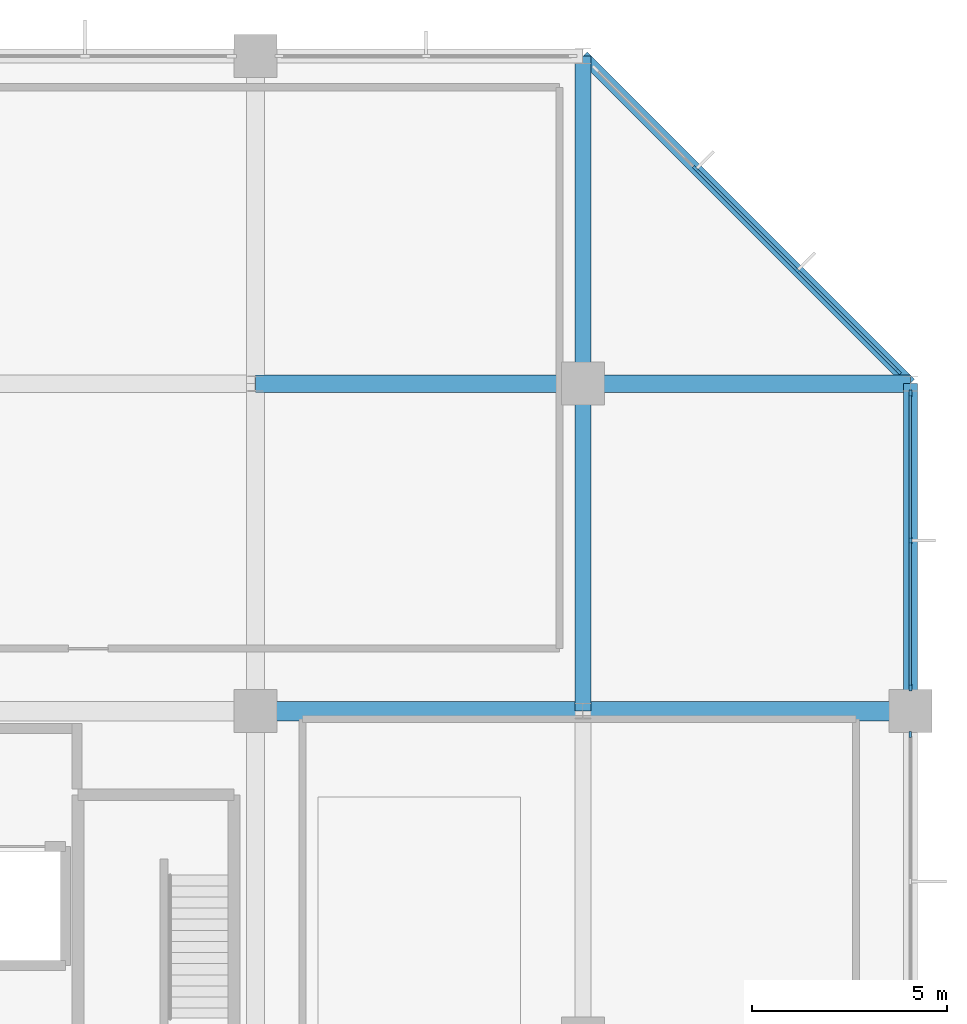
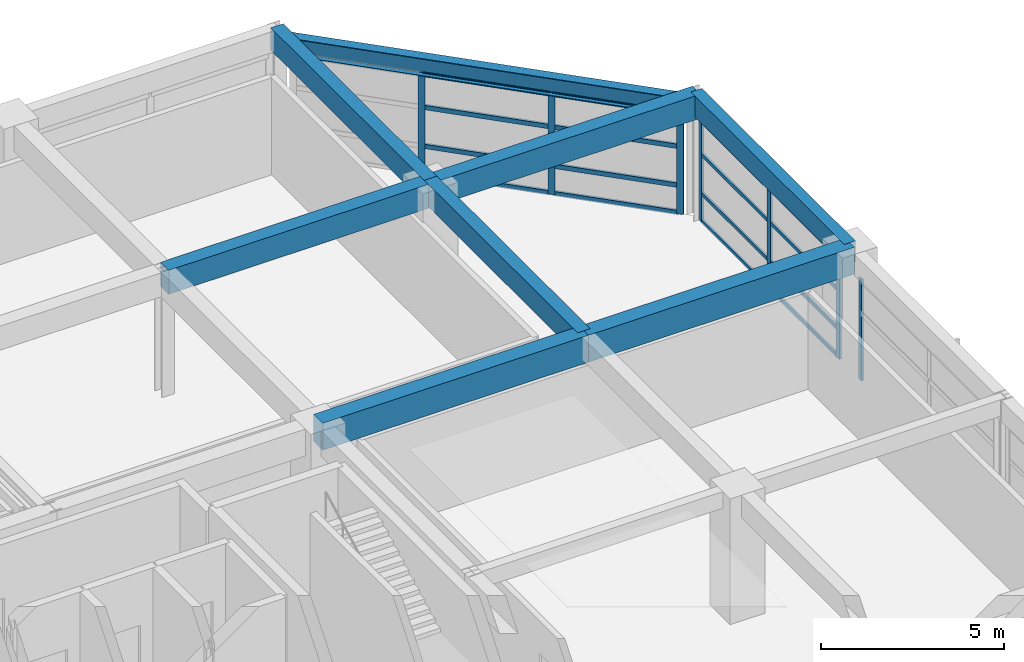
# One storey, part 25 of 34: 23 members, 8 beams, 3 elements without a shape of their own.
"""IFC4 building model written with IfcOpenShell, lengths in metres."""

from ifc_helpers import new_model, si_unit, direction, frame, origin, origin_2d, place, context, subcontext, project, spatial, rectangle, i_section, extrude, material, material_profile, profile_set, type_object, element, aggregate, save


model = new_model("IFC4")

# Units and contexts
model_context = context("Model", 3, precision=1e-05, world=origin(), true_north=direction((0.0, 1.0)))
body_context = subcontext(model_context, "Body", "Model", "MODEL_VIEW")
ifc_project = project(units=[si_unit("LENGTHUNIT", "METRE"), si_unit("AREAUNIT", "SQUARE_METRE"), si_unit("VOLUMEUNIT", "CUBIC_METRE"), si_unit("PLANEANGLEUNIT", "RADIAN"), si_unit("MASSUNIT", "GRAM", prefix="KILO")], contexts=[model_context])

# Site, building, storey
site_placement = place(None, origin())
site = spatial("IfcSite", under=ifc_project, at=site_placement, CompositionType="ELEMENT")
building_placement = place(site_placement, origin())
building = spatial("IfcBuilding", under=site, at=building_placement, Name="Xuanlan Plaza Opera House", CompositionType="ELEMENT")
storey_placement = place(building_placement, frame((0.0, 0.0, 27.89990234375)))
storey = spatial("IfcBuildingStorey", under=building, at=storey_placement, Name="L06", CompositionType="ELEMENT", Elevation=27.89990234375)

# Curtain wall, member
ifc_material_1 = material(Name="Anodised Aluminium 6063-T6 and Low-E Glass", Category="aluminium")
curtain_wall_type_1 = type_object("IfcCurtainWallType", Name="ENV-CW-CW-04", PredefinedType="USERDEFINED", material=ifc_material_1)
curtain_wall_1_placement = place(storey_placement, origin())
curtain_wall_1 = element("IfcCurtainWall", 1, at=curtain_wall_1_placement, inside=storey, type_object=curtain_wall_type_1, Name="Unitised Curtain Wall L06-008", ObjectType="UNITISED CURTAIN WALL", PredefinedType="USERDEFINED")
ifc_material_2 = material(Name="Anodised Aluminium 6063-T6", Category="aluminium")
ifc_material_profile_1 = material_profile(ifc_material_2, rectangle(XDim=0.06494140625, YDim=0.159912109375, at=origin_2d()), Name="ALU-M 65x160")
ifc_profile_set_1 = profile_set([ifc_material_profile_1], Name="Anodised Aluminium 6063-T6")
member_type_1 = type_object("IfcMemberType", Name="ENV-CWM-01", PredefinedType="MULLION", material=ifc_profile_set_1)
member_1_placement = place(storey_placement, frame((168.0, 66.597412109375, 0.0), z_axis=(0.0, 0.0, 1.0), x_axis=(-1.0, 0.0, 0.0)))
member_1 = element("IfcMember", 2, at=member_1_placement, type_object=member_type_1, Name="CW-04 mullion 3", PredefinedType="MULLION", context=body_context, shape_type="SweptSolid", body=[
    extrude(rectangle(XDim=0.06494140625, YDim=0.159912109375, at=origin_2d()), origin(), (0.0, 0.0, 1.0), 3.380126953125),
])
aggregate(curtain_wall_1, [member_1])

# Curtain wall, members
curtain_wall_type_2 = type_object("IfcCurtainWallType", Name="ENV-CW-CW-01", PredefinedType="USERDEFINED", material=ifc_material_1)
curtain_wall_2_placement = place(storey_placement, origin())
curtain_wall_2 = element("IfcCurtainWall", 3, at=curtain_wall_2_placement, inside=storey, type_object=curtain_wall_type_2, Name="Unitised Curtain Wall L06-009", ObjectType="UNITISED CURTAIN WALL", PredefinedType="USERDEFINED")
ifc_material_profile_2 = material_profile(ifc_material_2, rectangle(XDim=0.070068359375, YDim=0.179931640625, at=origin_2d()), Name="ALU-M 70x180")
ifc_profile_set_2 = profile_set([ifc_material_profile_2], Name="Anodised Aluminium 6063-T6")
member_type_2 = type_object("IfcMemberType", Name="ENV-CWM-02", PredefinedType="MULLION", material=ifc_profile_set_2)
member_2_placement = place(storey_placement, frame((168.0, 67.804931640625, 0.0), z_axis=(0.0, 0.0, 1.0), x_axis=(-1.0, 0.0, 0.0)))
member_2 = element("IfcMember", 4, at=member_2_placement, type_object=member_type_2, Name="CW-01 mullion 1", PredefinedType="MULLION", context=body_context, shape_type="SweptSolid", body=[
    extrude(rectangle(XDim=0.070068359375, YDim=0.179931640625, at=origin_2d()), origin(), (0.0, 0.0, 1.0), 3.380126953125),
])
member_3_placement = place(storey_placement, frame((168.0, 71.574951171875, 0.0), z_axis=(0.0, 0.0, 1.0), x_axis=(-1.0, 0.0, 0.0)))
member_3 = element("IfcMember", 5, at=member_3_placement, type_object=member_type_2, Name="CW-01 mullion 2", PredefinedType="MULLION", context=body_context, shape_type="SweptSolid", body=[
    extrude(rectangle(XDim=0.070068359375, YDim=0.179931640625, at=origin_2d()), origin(), (0.0, 0.0, 1.0), 3.380126953125),
])
member_4_placement = place(storey_placement, frame((168.0, 75.344970703125, 0.0), z_axis=(0.0, 0.0, 1.0), x_axis=(-1.0, 0.0, 0.0)))
member_4 = element("IfcMember", 6, at=member_4_placement, type_object=member_type_2, Name="CW-01 mullion 3", PredefinedType="MULLION", context=body_context, shape_type="SweptSolid", body=[
    extrude(rectangle(XDim=0.070068359375, YDim=0.179931640625, at=origin_2d()), origin(), (0.0, 0.0, 1.0), 3.380126953125),
])

curtain_wall_type_3 = type_object("IfcCurtainWallType", Name="ENV-CW-CW-02", PredefinedType="USERDEFINED", material=ifc_material_1)
curtain_wall_3_placement = place(storey_placement, origin())
curtain_wall_3 = element("IfcCurtainWall", 7, at=curtain_wall_3_placement, inside=storey, type_object=curtain_wall_type_3, Name="Unitised Curtain Wall L06-010", ObjectType="UNITISED CURTAIN WALL", PredefinedType="USERDEFINED")
ifc_material_profile_3 = material_profile(ifc_material_2, rectangle(XDim=0.074951171875, YDim=0.199951171875, at=origin_2d()), Name="ALU-M 75x200")
ifc_profile_set_3 = profile_set([ifc_material_profile_3], Name="Anodised Aluminium 6063-T6")
member_type_3 = type_object("IfcMemberType", Name="ENV-CWM-03", PredefinedType="MULLION", material=ifc_profile_set_3)
member_5_placement = place(storey_placement, frame((167.674560546875, 75.925537109375, 0.0), z_axis=(0.0, 0.0, 1.0), x_axis=(-0.707106781187, -0.707106781187, 0.0)))
member_5 = element("IfcMember", 8, at=member_5_placement, type_object=member_type_3, Name="CW-02 mullion 1", PredefinedType="MULLION", context=body_context, shape_type="SweptSolid", body=[
    extrude(rectangle(XDim=0.074951171875, YDim=0.199951171875, at=origin_2d()), origin(), (0.0, 0.0, 1.0), 3.380126953125),
])
member_6_placement = place(storey_placement, frame((165.100341796875, 78.499755859375, 0.0), z_axis=(0.0, 0.0, 1.0), x_axis=(-0.707106781187, -0.707106781187, 0.0)))
member_6 = element("IfcMember", 9, at=member_6_placement, type_object=member_type_3, Name="CW-02 mullion 2", PredefinedType="MULLION", context=body_context, shape_type="SweptSolid", body=[
    extrude(rectangle(XDim=0.074951171875, YDim=0.199951171875, at=origin_2d()), origin(), (0.0, 0.0, 1.0), 3.380126953125),
])
member_7_placement = place(storey_placement, frame((162.499755859375, 81.100341796875, 0.0), z_axis=(0.0, 0.0, 1.0), x_axis=(-0.707106781187, -0.707106781187, 0.0)))
member_7 = element("IfcMember", 10, at=member_7_placement, type_object=member_type_3, Name="CW-02 mullion 3", PredefinedType="MULLION", context=body_context, shape_type="SweptSolid", body=[
    extrude(rectangle(XDim=0.074951171875, YDim=0.199951171875, at=origin_2d()), origin(), (0.0, 0.0, 1.0), 3.380126953125),
])

# Member
ifc_material_profile_4 = material_profile(ifc_material_2, rectangle(XDim=0.06494140625, YDim=0.1201171875, at=origin_2d()), Name="ALU-T 65x120")
ifc_profile_set_4 = profile_set([ifc_material_profile_4], Name="Anodised Aluminium 6063-T6")
member_type_4 = type_object("IfcMemberType", Name="ENV-CWT-01", PredefinedType="USERDEFINED", material=ifc_profile_set_4)
member_8_placement = place(storey_placement, frame((168.0, 67.840087890625, 0.03271484375), z_axis=(0.0, 1.0, 0.0), x_axis=(-1.0, 0.0, 0.0)))
member_8 = element("IfcMember", 11, at=member_8_placement, type_object=member_type_4, Name="CW-01 transom 1.1", ObjectType="TRANSOM", PredefinedType="USERDEFINED", context=body_context, shape_type="SweptSolid", body=[
    extrude(rectangle(XDim=0.06494140625, YDim=0.1201171875, at=origin_2d()), origin(), (0.0, 0.0, 1.0), 3.699951171875),
])

member_9_placement = place(storey_placement, frame((168.0, 67.840087890625, 0.9501953125), z_axis=(0.0, 1.0, 0.0), x_axis=(-1.0, 0.0, 0.0)))
member_9 = element("IfcMember", 12, at=member_9_placement, type_object=member_type_4, Name="CW-01 transom 1.2", ObjectType="TRANSOM", PredefinedType="USERDEFINED", context=body_context, shape_type="SweptSolid", body=[
    extrude(rectangle(XDim=0.06494140625, YDim=0.1201171875, at=origin_2d()), origin(), (0.0, 0.0, 1.0), 3.699951171875),
])

member_10_placement = place(storey_placement, frame((168.0, 67.840087890625, 2.25), z_axis=(0.0, 1.0, 0.0), x_axis=(-1.0, 0.0, 0.0)))
member_10 = element("IfcMember", 13, at=member_10_placement, type_object=member_type_4, Name="CW-01 transom 1.3", ObjectType="TRANSOM", PredefinedType="USERDEFINED", context=body_context, shape_type="SweptSolid", body=[
    extrude(rectangle(XDim=0.06494140625, YDim=0.1201171875, at=origin_2d()), origin(), (0.0, 0.0, 1.0), 3.699951171875),
])

member_11_placement = place(storey_placement, frame((168.0, 67.840087890625, 3.34765625), z_axis=(0.0, 1.0, 0.0), x_axis=(-1.0, 0.0, 0.0)))
member_11 = element("IfcMember", 14, at=member_11_placement, type_object=member_type_4, Name="CW-01 transom 1.4", ObjectType="TRANSOM", PredefinedType="USERDEFINED", context=body_context, shape_type="SweptSolid", body=[
    extrude(rectangle(XDim=0.06494140625, YDim=0.1201171875, at=origin_2d()), origin(), (0.0, 0.0, 1.0), 3.699951171875),
])

member_12_placement = place(storey_placement, frame((168.0, 71.610107421875, 0.03271484375), z_axis=(0.0, 1.0, 0.0), x_axis=(-1.0, 0.0, 0.0)))
member_12 = element("IfcMember", 15, at=member_12_placement, type_object=member_type_4, Name="CW-01 transom 2.1", ObjectType="TRANSOM", PredefinedType="USERDEFINED", context=body_context, shape_type="SweptSolid", body=[
    extrude(rectangle(XDim=0.06494140625, YDim=0.1201171875, at=origin_2d()), origin(), (0.0, 0.0, 1.0), 3.699951171875),
])

member_13_placement = place(storey_placement, frame((168.0, 71.610107421875, 0.9501953125), z_axis=(0.0, 1.0, 0.0), x_axis=(-1.0, 0.0, 0.0)))
member_13 = element("IfcMember", 16, at=member_13_placement, type_object=member_type_4, Name="CW-01 transom 2.2", ObjectType="TRANSOM", PredefinedType="USERDEFINED", context=body_context, shape_type="SweptSolid", body=[
    extrude(rectangle(XDim=0.06494140625, YDim=0.1201171875, at=origin_2d()), origin(), (0.0, 0.0, 1.0), 3.699951171875),
])

member_14_placement = place(storey_placement, frame((168.0, 71.610107421875, 2.25), z_axis=(0.0, 1.0, 0.0), x_axis=(-1.0, 0.0, 0.0)))
member_14 = element("IfcMember", 17, at=member_14_placement, type_object=member_type_4, Name="CW-01 transom 2.3", ObjectType="TRANSOM", PredefinedType="USERDEFINED", context=body_context, shape_type="SweptSolid", body=[
    extrude(rectangle(XDim=0.06494140625, YDim=0.1201171875, at=origin_2d()), origin(), (0.0, 0.0, 1.0), 3.699951171875),
])

member_15_placement = place(storey_placement, frame((168.0, 71.610107421875, 3.34765625), z_axis=(0.0, 1.0, 0.0), x_axis=(-1.0, 0.0, 0.0)))
member_15 = element("IfcMember", 18, at=member_15_placement, type_object=member_type_4, Name="CW-01 transom 2.4", ObjectType="TRANSOM", PredefinedType="USERDEFINED", context=body_context, shape_type="SweptSolid", body=[
    extrude(rectangle(XDim=0.06494140625, YDim=0.1201171875, at=origin_2d()), origin(), (0.0, 0.0, 1.0), 3.699951171875),
])

aggregate(curtain_wall_2, [member_2, member_3, member_4, member_8, member_9, member_10, member_11, member_12, member_13, member_14, member_15])

ifc_material_profile_5 = material_profile(ifc_material_2, rectangle(XDim=0.074951171875, YDim=0.14990234375, at=origin_2d()), Name="ALU-T 75x150")
ifc_profile_set_5 = profile_set([ifc_material_profile_5], Name="Anodised Aluminium 6063-T6")
member_type_5 = type_object("IfcMemberType", Name="ENV-CWT-03", PredefinedType="USERDEFINED", material=ifc_profile_set_5)
member_16_placement = place(storey_placement, frame((167.64794921875, 75.9521484375, 0.03759765625), z_axis=(-0.707106781187, 0.707106781187, 0.0), x_axis=(-0.707106781187, -0.707106781187, 0.0)))
member_16 = element("IfcMember", 19, at=member_16_placement, type_object=member_type_5, Name="CW-02 transom 1.1", ObjectType="TRANSOM", PredefinedType="USERDEFINED", context=body_context, shape_type="SweptSolid", body=[
    extrude(rectangle(XDim=0.074951171875, YDim=0.14990234375, at=origin_2d()), origin(), (0.0, 0.0, 1.0), 3.565185546875),
])

member_17_placement = place(storey_placement, frame((167.64794921875, 75.9521484375, 0.9501953125), z_axis=(-0.707106781187, 0.707106781187, 0.0), x_axis=(-0.707106781187, -0.707106781187, 0.0)))
member_17 = element("IfcMember", 20, at=member_17_placement, type_object=member_type_5, Name="CW-02 transom 1.2", ObjectType="TRANSOM", PredefinedType="USERDEFINED", context=body_context, shape_type="SweptSolid", body=[
    extrude(rectangle(XDim=0.074951171875, YDim=0.14990234375, at=origin_2d()), origin(), (0.0, 0.0, 1.0), 3.565185546875),
])

member_18_placement = place(storey_placement, frame((167.64794921875, 75.9521484375, 2.25), z_axis=(-0.707106781187, 0.707106781187, 0.0), x_axis=(-0.707106781187, -0.707106781187, 0.0)))
member_18 = element("IfcMember", 21, at=member_18_placement, type_object=member_type_5, Name="CW-02 transom 1.3", ObjectType="TRANSOM", PredefinedType="USERDEFINED", context=body_context, shape_type="SweptSolid", body=[
    extrude(rectangle(XDim=0.074951171875, YDim=0.14990234375, at=origin_2d()), origin(), (0.0, 0.0, 1.0), 3.565185546875),
])

member_19_placement = place(storey_placement, frame((167.64794921875, 75.9521484375, 3.342529296875), z_axis=(-0.707106781187, 0.707106781187, 0.0), x_axis=(-0.707106781187, -0.707106781187, 0.0)))
member_19 = element("IfcMember", 22, at=member_19_placement, type_object=member_type_5, Name="CW-02 transom 1.4", ObjectType="TRANSOM", PredefinedType="USERDEFINED", context=body_context, shape_type="SweptSolid", body=[
    extrude(rectangle(XDim=0.074951171875, YDim=0.14990234375, at=origin_2d()), origin(), (0.0, 0.0, 1.0), 3.565185546875),
])

member_20_placement = place(storey_placement, frame((165.07373046875, 78.526123046875, 0.03759765625), z_axis=(-0.707106781187, 0.707106781187, 0.0), x_axis=(-0.707106781187, -0.707106781187, 0.0)))
member_20 = element("IfcMember", 23, at=member_20_placement, type_object=member_type_5, Name="CW-02 transom 2.1", ObjectType="TRANSOM", PredefinedType="USERDEFINED", context=body_context, shape_type="SweptSolid", body=[
    extrude(rectangle(XDim=0.074951171875, YDim=0.14990234375, at=origin_2d()), origin(), (0.0, 0.0, 1.0), 3.602783203125),
])

member_21_placement = place(storey_placement, frame((165.07373046875, 78.526123046875, 0.9501953125), z_axis=(-0.707106781187, 0.707106781187, 0.0), x_axis=(-0.707106781187, -0.707106781187, 0.0)))
member_21 = element("IfcMember", 24, at=member_21_placement, type_object=member_type_5, Name="CW-02 transom 2.2", ObjectType="TRANSOM", PredefinedType="USERDEFINED", context=body_context, shape_type="SweptSolid", body=[
    extrude(rectangle(XDim=0.074951171875, YDim=0.14990234375, at=origin_2d()), origin(), (0.0, 0.0, 1.0), 3.602783203125),
])

member_22_placement = place(storey_placement, frame((165.07373046875, 78.526123046875, 2.25), z_axis=(-0.707106781187, 0.707106781187, 0.0), x_axis=(-0.707106781187, -0.707106781187, 0.0)))
member_22 = element("IfcMember", 25, at=member_22_placement, type_object=member_type_5, Name="CW-02 transom 2.3", ObjectType="TRANSOM", PredefinedType="USERDEFINED", context=body_context, shape_type="SweptSolid", body=[
    extrude(rectangle(XDim=0.074951171875, YDim=0.14990234375, at=origin_2d()), origin(), (0.0, 0.0, 1.0), 3.602783203125),
])

member_23_placement = place(storey_placement, frame((165.07373046875, 78.526123046875, 3.342529296875), z_axis=(-0.707106781187, 0.707106781187, 0.0), x_axis=(-0.707106781187, -0.707106781187, 0.0)))
member_23 = element("IfcMember", 26, at=member_23_placement, type_object=member_type_5, Name="CW-02 transom 2.4", ObjectType="TRANSOM", PredefinedType="USERDEFINED", context=body_context, shape_type="SweptSolid", body=[
    extrude(rectangle(XDim=0.074951171875, YDim=0.14990234375, at=origin_2d()), origin(), (0.0, 0.0, 1.0), 3.602783203125),
])

aggregate(curtain_wall_3, [member_5, member_6, member_7, member_16, member_17, member_18, member_19, member_20, member_21, member_22, member_23])

# Beams
ifc_material_3 = material(Name="Concrete C40", Category="concrete")
ifc_material_profile_6 = material_profile(ifc_material_3, rectangle(XDim=0.5, YDim=0.89990234375, at=origin_2d()), Name="RC-BM 500x900")
ifc_profile_set_6 = profile_set([ifc_material_profile_6], Name="Concrete C40")
beam_type_1 = type_object("IfcBeamType", Name="STR-BM-B-03", PredefinedType="BEAM", material=ifc_profile_set_6)
beam_1_placement = place(storey_placement, frame((151.199951171875, 67.199951171875, 3.75), z_axis=(1.0, 0.0, 0.0), x_axis=(0.0, 1.0, 0.0)))
element("IfcBeam", 27, at=beam_1_placement, inside=storey, type_object=beam_type_1, Name="Grid Beam X L06 19-20/I", PredefinedType="BEAM", context=body_context, shape_type="SweptSolid", body=[
    extrude(rectangle(XDim=0.5, YDim=0.89990234375, at=origin_2d()), origin(), (0.0, 0.0, 1.0), 8.400146484375),
])
beam_2_placement = place(storey_placement, frame((159.60009765625, 67.199951171875, 3.75), z_axis=(1.0, 0.0, 0.0), x_axis=(0.0, 1.0, 0.0)))
element("IfcBeam", 28, at=beam_2_placement, inside=storey, type_object=beam_type_1, Name="Grid Beam X L06 20-21/I", PredefinedType="BEAM", context=body_context, shape_type="SweptSolid", body=[
    extrude(rectangle(XDim=0.5, YDim=0.89990234375, at=origin_2d()), origin(), (0.0, 0.0, 1.0), 8.39990234375),
])
ifc_material_profile_7 = material_profile(ifc_material_3, rectangle(XDim=0.449951171875, YDim=0.800048828125, at=origin_2d()), Name="RC-BM 450x800")
ifc_profile_set_7 = profile_set([ifc_material_profile_7], Name="Concrete C40")
beam_type_2 = type_object("IfcBeamType", Name="STR-BM-B-05", PredefinedType="BEAM", material=ifc_profile_set_7)
beam_3_placement = place(storey_placement, frame((151.199951171875, 75.60009765625, 3.800048828125), z_axis=(1.0, 0.0, 0.0), x_axis=(0.0, 1.0, 0.0)))
element("IfcBeam", 29, at=beam_3_placement, inside=storey, type_object=beam_type_2, Name="Grid Beam X L06 19-20/J", PredefinedType="BEAM", context=body_context, shape_type="SweptSolid", body=[
    extrude(rectangle(XDim=0.449951171875, YDim=0.800048828125, at=origin_2d()), origin(), (0.0, 0.0, 1.0), 8.400146484375),
])
beam_4_placement = place(storey_placement, frame((159.60009765625, 75.60009765625, 3.800048828125), z_axis=(1.0, 0.0, 0.0), x_axis=(0.0, 1.0, 0.0)))
element("IfcBeam", 30, at=beam_4_placement, inside=storey, type_object=beam_type_2, Name="Grid Beam X L06 20-21/J", PredefinedType="BEAM", context=body_context, shape_type="SweptSolid", body=[
    extrude(rectangle(XDim=0.449951171875, YDim=0.800048828125, at=origin_2d()), origin(), (0.0, 0.0, 1.0), 8.39990234375),
])
ifc_material_profile_8 = material_profile(ifc_material_3, rectangle(XDim=0.39990234375, YDim=0.75, at=origin_2d()), Name="RC-BM 400x750")
ifc_profile_set_8 = profile_set([ifc_material_profile_8], Name="Concrete C40")
beam_type_3 = type_object("IfcBeamType", Name="STR-BM-B-06", PredefinedType="BEAM", material=ifc_profile_set_8)
beam_5_placement = place(storey_placement, frame((159.60009765625, 67.199951171875, 3.8251953125), z_axis=(0.0, 1.0, 0.0), x_axis=(-1.0, 0.0, 0.0)))
element("IfcBeam", 31, at=beam_5_placement, inside=storey, type_object=beam_type_3, Name="Grid Beam Y L06 20/I-J", PredefinedType="BEAM", context=body_context, shape_type="SweptSolid", body=[
    extrude(rectangle(XDim=0.39990234375, YDim=0.75, at=origin_2d()), origin(), (0.0, 0.0, 1.0), 8.400146484375),
])
beam_6_placement = place(storey_placement, frame((159.60009765625, 75.60009765625, 3.8251953125), z_axis=(0.0, 1.0, 0.0), x_axis=(-1.0, 0.0, 0.0)))
element("IfcBeam", 32, at=beam_6_placement, inside=storey, type_object=beam_type_3, Name="Grid Beam Y L06 20/J-K", PredefinedType="BEAM", context=body_context, shape_type="SweptSolid", body=[
    extrude(rectangle(XDim=0.39990234375, YDim=0.75, at=origin_2d()), origin(), (0.0, 0.0, 1.0), 8.39990234375),
])
ifc_material_profile_9 = material_profile(ifc_material_3, rectangle(XDim=0.35009765625, YDim=0.699951171875, at=origin_2d()), Name="RC-SPD 350x700")
ifc_profile_set_9 = profile_set([ifc_material_profile_9], Name="Concrete C40")
beam_type_4 = type_object("IfcBeamType", Name="STR-BM-SP-02", PredefinedType="SPANDREL", material=ifc_profile_set_9)
beam_7_placement = place(storey_placement, frame((168.0, 67.199951171875, 3.85009765625), z_axis=(0.0, 1.0, 0.0), x_axis=(-1.0, 0.0, 0.0)))
element("IfcBeam", 33, at=beam_7_placement, inside=storey, type_object=beam_type_4, Name="Grid Beam Y L06 21/I-J", PredefinedType="SPANDREL", context=body_context, shape_type="SweptSolid", body=[
    extrude(rectangle(XDim=0.35009765625, YDim=0.699951171875, at=origin_2d()), origin(), (0.0, 0.0, 1.0), 8.400146484375),
])
ifc_material_4 = material(Name="Steel Q355B", Category="steel")
ifc_material_profile_10 = material_profile(ifc_material_4, i_section(OverallWidth=0.300048828125, OverallDepth=0.587890625, WebThickness=0.011962890625, FlangeThickness=0.02001953125, FilletRadius=0.02392578125, at=origin_2d()), Name="HM 588x300x12x20")
ifc_profile_set_10 = profile_set([ifc_material_profile_10], Name="Steel Q355B")
beam_type_5 = type_object("IfcBeamType", Name="STR-BM-SP-03", PredefinedType="SPANDREL", material=ifc_profile_set_10)
beam_8_placement = place(storey_placement, frame((168.0, 75.60009765625, 3.6611328125), z_axis=(-0.707106781187, 0.707106781187, 0.0), x_axis=(-0.707106781187, -0.707106781187, 0.0)))
element("IfcBeam", 34, at=beam_8_placement, inside=storey, type_object=beam_type_5, Name="Faceted Edge Spandrel L06 CH03", PredefinedType="SPANDREL", context=body_context, shape_type="SweptSolid", body=[
    extrude(i_section(OverallWidth=0.300048828125, OverallDepth=0.587890625, WebThickness=0.011962890625, FlangeThickness=0.02001953125, FilletRadius=0.02392578125, at=origin_2d()), origin(), (0.0, 0.0, 1.0), 11.879150390625),
])

save(model, "model.ifc")
